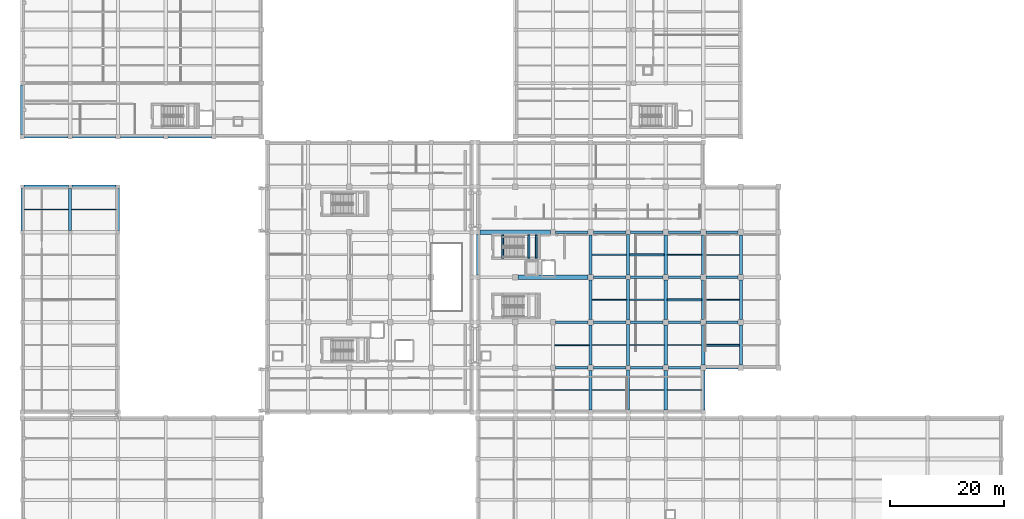
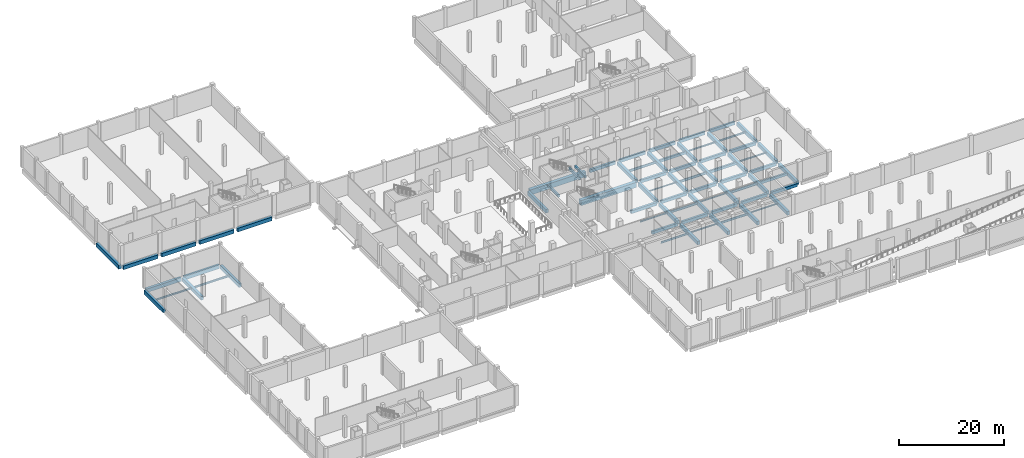
# One storey, part 6 of 31: 73 beams.
"""IFC4 building model written with IfcOpenShell, lengths in metres."""

from ifc_helpers import new_model, si_unit, direction, frame, origin, origin_2d, place, context, subcontext, project, spatial, rectangle, i_section, extrude, material, material_profile, profile_set, type_object, element, save


model = new_model("IFC4")

# Units and contexts
model_context = context("Model", 3, precision=1e-05, world=origin(), true_north=direction((0.0, 1.0)))
body_context = subcontext(model_context, "Body", "Model", "MODEL_VIEW")
ifc_project = project(units=[si_unit("LENGTHUNIT", "METRE"), si_unit("AREAUNIT", "SQUARE_METRE"), si_unit("VOLUMEUNIT", "CUBIC_METRE"), si_unit("PLANEANGLEUNIT", "RADIAN"), si_unit("MASSUNIT", "GRAM", prefix="KILO")], contexts=[model_context])

# Site, building, storey
site_placement = place(None, origin())
site = spatial("IfcSite", under=ifc_project, at=site_placement, CompositionType="ELEMENT")
building_placement = place(site_placement, origin())
building = spatial("IfcBuilding", under=site, at=building_placement, Name="Kelarvand Opera House", CompositionType="ELEMENT")
storey_placement = place(building_placement, frame((0.0, 0.0, -4.800048828125)))
storey = spatial("IfcBuildingStorey", under=building, at=storey_placement, Name="B1", CompositionType="ELEMENT", Elevation=-4.800048828125)

# Beams
ifc_material_1 = material(Name="Concrete C35/45", Category="concrete")
ifc_material_profile_1 = material_profile(ifc_material_1, rectangle(XDim=0.35009765625, YDim=0.60009765625, at=origin_2d()), Name="RC 350x600", Category="concrete")
ifc_profile_set_1 = profile_set([ifc_material_profile_1], Name="Concrete C35/45")
beam_type_1 = type_object("IfcBeamType", Name="Structural Beam RC 350x600 BM-RC350x600", PredefinedType="BEAM", material=ifc_profile_set_1)
for number, where, z_axis, x_axis, name in (
    (1, (115.675048828125, 66.449951171875, -0.599853515625), (1.0, 0.0, 0.0), (0.0, 1.0, 0.0), "V1 B1 Beam BM-RC350x600"),
    (2, (122.27490234375, 58.550048828125, -0.599853515625), (1.0, 0.0, 0.0), (0.0, 1.0, 0.0), "V1 B1 Beam BM-RC350x600"),
    (3, (128.875, 50.60009765625, -0.599853515625), (1.0, 0.0, 0.0), (0.0, 1.0, 0.0), "V1 B1 Beam BM-RC350x600"),
):
    element("IfcBeam", number, at=place(storey_placement, frame(where, z_axis=z_axis, x_axis=x_axis)), inside=storey, type_object=beam_type_1, Name=name, PredefinedType="BEAM", context=body_context, shape_type="SweptSolid", body=[
        extrude(rectangle(XDim=0.35009765625, YDim=0.60009765625, at=origin_2d()), origin(), (0.0, 0.0, 1.0), 6.050048828125),
    ])
for number, where, z_axis, x_axis, name in (
    (4, (93.340087890625, 65.85009765625, -0.52001953125), (0.0, 1.0, 0.0), (-1.0, 0.0, 0.0), "C1 Stair Landing Support Beam B1"),
    (5, (97.949951171875, 65.85009765625, 1.900146484375), (0.0, 1.0, 0.0), (-1.0, 0.0, 0.0), "C1 Stair Half-Landing Beam 1 B1"),
    (6, (99.25, 65.85009765625, 1.900146484375), (0.0, 1.0, 0.0), (-1.0, 0.0, 0.0), "C1 Stair Half-Landing Beam 2 B1"),
):
    element("IfcBeam", number, at=place(storey_placement, frame(where, z_axis=z_axis, x_axis=x_axis)), inside=storey, type_object=beam_type_1, Name=name, PredefinedType="BEAM", context=body_context, shape_type="SweptSolid", body=[
        extrude(rectangle(XDim=0.35009765625, YDim=0.60009765625, at=origin_2d()), origin(), (0.0, 0.0, 1.0), 4.099853515625),
    ])
ifc_material_2 = material(Name="Concrete C40/50", Category="concrete")
ifc_material_profile_2 = material_profile(ifc_material_2, rectangle(XDim=0.449951171875, YDim=0.699951171875, at=origin_2d()), Name="RC 450x700", Category="concrete")
ifc_profile_set_2 = profile_set([ifc_material_profile_2], Name="Concrete C40/50")
beam_type_2 = type_object("IfcBeamType", Name="Structural Beam RC 450x700 BM-RC450x700", PredefinedType="BEAM", material=ifc_profile_set_2)
beam_1_placement = place(storey_placement, frame((102.675048828125, 46.60009765625, -0.64990234375), z_axis=(1.0, 0.0, 0.0), x_axis=(0.0, 1.0, 0.0)))
element("IfcBeam", 7, at=beam_1_placement, inside=storey, type_object=beam_type_2, Name="V1 B1 Beam BM-RC450x700", PredefinedType="BEAM", context=body_context, shape_type="SweptSolid", body=[
    extrude(rectangle(XDim=0.449951171875, YDim=0.699951171875, at=origin_2d()), origin(), (0.0, 0.0, 1.0), 5.64990234375),
])
beam_2_placement = place(storey_placement, frame((109.27490234375, 46.60009765625, -0.64990234375), z_axis=(1.0, 0.0, 0.0), x_axis=(0.0, 1.0, 0.0)))
element("IfcBeam", 8, at=beam_2_placement, inside=storey, type_object=beam_type_2, Name="V1 B1 Beam BM-RC450x700", PredefinedType="BEAM", context=body_context, shape_type="SweptSolid", body=[
    extrude(rectangle(XDim=0.449951171875, YDim=0.699951171875, at=origin_2d()), origin(), (0.0, 0.0, 1.0), 5.715087890625),
])
beam_3_placement = place(storey_placement, frame((115.81005859375, 46.60009765625, -0.64990234375), z_axis=(1.0, 0.0, 0.0), x_axis=(0.0, 1.0, 0.0)))
element("IfcBeam", 9, at=beam_3_placement, inside=storey, type_object=beam_type_2, Name="V1 B1 Beam BM-RC450x700", PredefinedType="BEAM", context=body_context, shape_type="SweptSolid", body=[
    extrude(rectangle(XDim=0.449951171875, YDim=0.699951171875, at=origin_2d()), origin(), (0.0, 0.0, 1.0), 5.71484375),
])
beam_4_placement = place(storey_placement, frame((122.47509765625, 46.60009765625, -0.64990234375), z_axis=(1.0, 0.0, 0.0), x_axis=(0.0, 1.0, 0.0)))
element("IfcBeam", 10, at=beam_4_placement, inside=storey, type_object=beam_type_2, Name="V1 B1 Beam BM-RC450x700", PredefinedType="BEAM", context=body_context, shape_type="SweptSolid", body=[
    extrude(rectangle(XDim=0.449951171875, YDim=0.699951171875, at=origin_2d()), origin(), (0.0, 0.0, 1.0), 5.64990234375),
])
beam_5_placement = place(storey_placement, frame((129.074951171875, 46.60009765625, -0.64990234375), z_axis=(1.0, 0.0, 0.0), x_axis=(0.0, 1.0, 0.0)))
element("IfcBeam", 11, at=beam_5_placement, inside=storey, type_object=beam_type_2, Name="V1 B1 Beam BM-RC450x700", PredefinedType="BEAM", context=body_context, shape_type="SweptSolid", body=[
    extrude(rectangle(XDim=0.449951171875, YDim=0.699951171875, at=origin_2d()), origin(), (0.0, 0.0, 1.0), 5.650146484375),
])
beam_6_placement = place(storey_placement, frame((102.675048828125, 54.60009765625, -0.64990234375), z_axis=(1.0, 0.0, 0.0), x_axis=(0.0, 1.0, 0.0)))
element("IfcBeam", 12, at=beam_6_placement, inside=storey, type_object=beam_type_2, Name="V1 B1 Beam BM-RC450x700", PredefinedType="BEAM", context=body_context, shape_type="SweptSolid", body=[
    extrude(rectangle(XDim=0.449951171875, YDim=0.699951171875, at=origin_2d()), origin(), (0.0, 0.0, 1.0), 5.64990234375),
])
beam_7_placement = place(storey_placement, frame((109.27490234375, 54.60009765625, -0.64990234375), z_axis=(1.0, 0.0, 0.0), x_axis=(0.0, 1.0, 0.0)))
element("IfcBeam", 13, at=beam_7_placement, inside=storey, type_object=beam_type_2, Name="V1 B1 Beam BM-RC450x700", PredefinedType="BEAM", context=body_context, shape_type="SweptSolid", body=[
    extrude(rectangle(XDim=0.449951171875, YDim=0.699951171875, at=origin_2d()), origin(), (0.0, 0.0, 1.0), 5.715087890625),
])
beam_8_placement = place(storey_placement, frame((115.81005859375, 54.60009765625, -0.64990234375), z_axis=(1.0, 0.0, 0.0), x_axis=(0.0, 1.0, 0.0)))
element("IfcBeam", 14, at=beam_8_placement, inside=storey, type_object=beam_type_2, Name="V1 B1 Beam BM-RC450x700", PredefinedType="BEAM", context=body_context, shape_type="SweptSolid", body=[
    extrude(rectangle(XDim=0.449951171875, YDim=0.699951171875, at=origin_2d()), origin(), (0.0, 0.0, 1.0), 5.71484375),
])
beam_9_placement = place(storey_placement, frame((122.47509765625, 54.60009765625, -0.64990234375), z_axis=(1.0, 0.0, 0.0), x_axis=(0.0, 1.0, 0.0)))
element("IfcBeam", 15, at=beam_9_placement, inside=storey, type_object=beam_type_2, Name="V1 B1 Beam BM-RC450x700", PredefinedType="BEAM", context=body_context, shape_type="SweptSolid", body=[
    extrude(rectangle(XDim=0.449951171875, YDim=0.699951171875, at=origin_2d()), origin(), (0.0, 0.0, 1.0), 5.64990234375),
])
beam_10_placement = place(storey_placement, frame((129.074951171875, 54.60009765625, -0.64990234375), z_axis=(1.0, 0.0, 0.0), x_axis=(0.0, 1.0, 0.0)))
element("IfcBeam", 16, at=beam_10_placement, inside=storey, type_object=beam_type_2, Name="V1 B1 Beam BM-RC450x700", PredefinedType="BEAM", context=body_context, shape_type="SweptSolid", body=[
    extrude(rectangle(XDim=0.449951171875, YDim=0.699951171875, at=origin_2d()), origin(), (0.0, 0.0, 1.0), 5.650146484375),
])
beam_11_placement = place(storey_placement, frame((109.27490234375, 62.5, -0.64990234375), z_axis=(1.0, 0.0, 0.0), x_axis=(0.0, 1.0, 0.0)))
element("IfcBeam", 17, at=beam_11_placement, inside=storey, type_object=beam_type_2, Name="V1 B1 Beam BM-RC450x700", PredefinedType="BEAM", context=body_context, shape_type="SweptSolid", body=[
    extrude(rectangle(XDim=0.449951171875, YDim=0.699951171875, at=origin_2d()), origin(), (0.0, 0.0, 1.0), 5.715087890625),
])
beam_12_placement = place(storey_placement, frame((115.81005859375, 62.5, -0.64990234375), z_axis=(1.0, 0.0, 0.0), x_axis=(0.0, 1.0, 0.0)))
element("IfcBeam", 18, at=beam_12_placement, inside=storey, type_object=beam_type_2, Name="V1 B1 Beam BM-RC450x700", PredefinedType="BEAM", context=body_context, shape_type="SweptSolid", body=[
    extrude(rectangle(XDim=0.449951171875, YDim=0.699951171875, at=origin_2d()), origin(), (0.0, 0.0, 1.0), 5.71484375),
])
beam_13_placement = place(storey_placement, frame((122.47509765625, 62.5, -0.64990234375), z_axis=(1.0, 0.0, 0.0), x_axis=(0.0, 1.0, 0.0)))
element("IfcBeam", 19, at=beam_13_placement, inside=storey, type_object=beam_type_2, Name="V1 B1 Beam BM-RC450x700", PredefinedType="BEAM", context=body_context, shape_type="SweptSolid", body=[
    extrude(rectangle(XDim=0.449951171875, YDim=0.699951171875, at=origin_2d()), origin(), (0.0, 0.0, 1.0), 5.64990234375),
])
beam_14_placement = place(storey_placement, frame((129.074951171875, 62.5, -0.64990234375), z_axis=(1.0, 0.0, 0.0), x_axis=(0.0, 1.0, 0.0)))
element("IfcBeam", 20, at=beam_14_placement, inside=storey, type_object=beam_type_2, Name="V1 B1 Beam BM-RC450x700", PredefinedType="BEAM", context=body_context, shape_type="SweptSolid", body=[
    extrude(rectangle(XDim=0.449951171875, YDim=0.699951171875, at=origin_2d()), origin(), (0.0, 0.0, 1.0), 5.650146484375),
])
beam_15_placement = place(storey_placement, frame((102.675048828125, 70.39990234375, -0.64990234375), z_axis=(1.0, 0.0, 0.0), x_axis=(0.0, 1.0, 0.0)))
element("IfcBeam", 21, at=beam_15_placement, inside=storey, type_object=beam_type_2, Name="V1 B1 Beam BM-RC450x700", PredefinedType="BEAM", context=body_context, shape_type="SweptSolid", body=[
    extrude(rectangle(XDim=0.449951171875, YDim=0.699951171875, at=origin_2d()), origin(), (0.0, 0.0, 1.0), 5.64990234375),
])
beam_16_placement = place(storey_placement, frame((109.27490234375, 70.39990234375, -0.64990234375), z_axis=(1.0, 0.0, 0.0), x_axis=(0.0, 1.0, 0.0)))
element("IfcBeam", 22, at=beam_16_placement, inside=storey, type_object=beam_type_2, Name="V1 B1 Beam BM-RC450x700", PredefinedType="BEAM", context=body_context, shape_type="SweptSolid", body=[
    extrude(rectangle(XDim=0.449951171875, YDim=0.699951171875, at=origin_2d()), origin(), (0.0, 0.0, 1.0), 5.715087890625),
])
beam_17_placement = place(storey_placement, frame((115.81005859375, 70.39990234375, -0.64990234375), z_axis=(1.0, 0.0, 0.0), x_axis=(0.0, 1.0, 0.0)))
element("IfcBeam", 23, at=beam_17_placement, inside=storey, type_object=beam_type_2, Name="V1 B1 Beam BM-RC450x700", PredefinedType="BEAM", context=body_context, shape_type="SweptSolid", body=[
    extrude(rectangle(XDim=0.449951171875, YDim=0.699951171875, at=origin_2d()), origin(), (0.0, 0.0, 1.0), 5.71484375),
])
beam_18_placement = place(storey_placement, frame((122.47509765625, 70.39990234375, -0.64990234375), z_axis=(1.0, 0.0, 0.0), x_axis=(0.0, 1.0, 0.0)))
element("IfcBeam", 24, at=beam_18_placement, inside=storey, type_object=beam_type_2, Name="V1 B1 Beam BM-RC450x700", PredefinedType="BEAM", context=body_context, shape_type="SweptSolid", body=[
    extrude(rectangle(XDim=0.449951171875, YDim=0.699951171875, at=origin_2d()), origin(), (0.0, 0.0, 1.0), 5.64990234375),
])
beam_19_placement = place(storey_placement, frame((129.074951171875, 70.39990234375, -0.64990234375), z_axis=(1.0, 0.0, 0.0), x_axis=(0.0, 1.0, 0.0)))
element("IfcBeam", 25, at=beam_19_placement, inside=storey, type_object=beam_type_2, Name="V1 B1 Beam BM-RC450x700", PredefinedType="BEAM", context=body_context, shape_type="SweptSolid", body=[
    extrude(rectangle(XDim=0.449951171875, YDim=0.699951171875, at=origin_2d()), origin(), (0.0, 0.0, 1.0), 5.650146484375),
])
ifc_material_profile_3 = material_profile(ifc_material_2, rectangle(XDim=0.550048828125, YDim=0.85009765625, at=origin_2d()), Name="RC 550x850", Category="concrete")
ifc_profile_set_3 = profile_set([ifc_material_profile_3], Name="Concrete C40/50")
beam_type_3 = type_object("IfcBeamType", Name="Structural Beam RC 550x850 BM-RC550x850", PredefinedType="BEAM", material=ifc_profile_set_3)
beam_20_placement = place(storey_placement, frame((89.0, 62.909912109375, -0.724853515625), z_axis=(0.0, 1.0, 0.0), x_axis=(-1.0, 0.0, 0.0)))
element("IfcBeam", 26, at=beam_20_placement, inside=storey, type_object=beam_type_3, Name="V1 B1 Beam BM-RC550x850", PredefinedType="BEAM", context=body_context, shape_type="SweptSolid", body=[
    extrude(rectangle(XDim=0.550048828125, YDim=0.85009765625, at=origin_2d()), origin(), (0.0, 0.0, 1.0), 7.080078125),
])
beam_21_placement = place(storey_placement, frame((108.800048828125, 39.2099609375, -0.724853515625), z_axis=(0.0, 1.0, 0.0), x_axis=(-1.0, 0.0, 0.0)))
element("IfcBeam", 27, at=beam_21_placement, inside=storey, type_object=beam_type_3, Name="V1 B1 Beam BM-RC550x850", PredefinedType="BEAM", context=body_context, shape_type="SweptSolid", body=[
    extrude(rectangle(XDim=0.550048828125, YDim=0.85009765625, at=origin_2d()), origin(), (0.0, 0.0, 1.0), 6.9150390625),
])
beam_22_placement = place(storey_placement, frame((108.800048828125, 47.074951171875, -0.724853515625), z_axis=(0.0, 1.0, 0.0), x_axis=(-1.0, 0.0, 0.0)))
element("IfcBeam", 28, at=beam_22_placement, inside=storey, type_object=beam_type_3, Name="V1 B1 Beam BM-RC550x850", PredefinedType="BEAM", context=body_context, shape_type="SweptSolid", body=[
    extrude(rectangle(XDim=0.550048828125, YDim=0.85009765625, at=origin_2d()), origin(), (0.0, 0.0, 1.0), 7.050048828125),
])
for number, where, z_axis, x_axis, name in (
    (29, (108.800048828125, 55.074951171875, -0.724853515625), (0.0, 1.0, 0.0), (-1.0, 0.0, 0.0), "V1 B1 Beam BM-RC550x850"),
    (30, (108.800048828125, 62.97509765625, -0.724853515625), (0.0, 1.0, 0.0), (-1.0, 0.0, 0.0), "V1 B1 Beam BM-RC550x850"),
):
    element("IfcBeam", number, at=place(storey_placement, frame(where, z_axis=z_axis, x_axis=x_axis)), inside=storey, type_object=beam_type_3, Name=name, PredefinedType="BEAM", context=body_context, shape_type="SweptSolid", body=[
        extrude(rectangle(XDim=0.550048828125, YDim=0.85009765625, at=origin_2d()), origin(), (0.0, 0.0, 1.0), 6.949951171875),
    ])
beam_23_placement = place(storey_placement, frame((115.39990234375, 39.2099609375, -0.724853515625), z_axis=(0.0, 1.0, 0.0), x_axis=(-1.0, 0.0, 0.0)))
element("IfcBeam", 31, at=beam_23_placement, inside=storey, type_object=beam_type_3, Name="V1 B1 Beam BM-RC550x850", PredefinedType="BEAM", context=body_context, shape_type="SweptSolid", body=[
    extrude(rectangle(XDim=0.550048828125, YDim=0.85009765625, at=origin_2d()), origin(), (0.0, 0.0, 1.0), 6.97998046875),
])
beam_24_placement = place(storey_placement, frame((115.39990234375, 47.010009765625, -0.724853515625), z_axis=(0.0, 1.0, 0.0), x_axis=(-1.0, 0.0, 0.0)))
element("IfcBeam", 32, at=beam_24_placement, inside=storey, type_object=beam_type_3, Name="V1 B1 Beam BM-RC550x850", PredefinedType="BEAM", context=body_context, shape_type="SweptSolid", body=[
    extrude(rectangle(XDim=0.550048828125, YDim=0.85009765625, at=origin_2d()), origin(), (0.0, 0.0, 1.0), 7.179931640625),
])
for number, where, z_axis, x_axis, name in (
    (33, (115.39990234375, 55.010009765625, -0.724853515625), (0.0, 1.0, 0.0), (-1.0, 0.0, 0.0), "V1 B1 Beam BM-RC550x850"),
    (34, (115.39990234375, 62.909912109375, -0.724853515625), (0.0, 1.0, 0.0), (-1.0, 0.0, 0.0), "V1 B1 Beam BM-RC550x850"),
):
    element("IfcBeam", number, at=place(storey_placement, frame(where, z_axis=z_axis, x_axis=x_axis)), inside=storey, type_object=beam_type_3, Name=name, PredefinedType="BEAM", context=body_context, shape_type="SweptSolid", body=[
        extrude(rectangle(XDim=0.550048828125, YDim=0.85009765625, at=origin_2d()), origin(), (0.0, 0.0, 1.0), 7.080078125),
    ])
beam_25_placement = place(storey_placement, frame((122.0, 39.2099609375, -0.724853515625), z_axis=(0.0, 1.0, 0.0), x_axis=(-1.0, 0.0, 0.0)))
element("IfcBeam", 35, at=beam_25_placement, inside=storey, type_object=beam_type_3, Name="V1 B1 Beam BM-RC550x850", PredefinedType="BEAM", context=body_context, shape_type="SweptSolid", body=[
    extrude(rectangle(XDim=0.550048828125, YDim=0.85009765625, at=origin_2d()), origin(), (0.0, 0.0, 1.0), 6.9150390625),
])
beam_26_placement = place(storey_placement, frame((122.0, 47.074951171875, -0.724853515625), z_axis=(0.0, 1.0, 0.0), x_axis=(-1.0, 0.0, 0.0)))
element("IfcBeam", 36, at=beam_26_placement, inside=storey, type_object=beam_type_3, Name="V1 B1 Beam BM-RC550x850", PredefinedType="BEAM", context=body_context, shape_type="SweptSolid", body=[
    extrude(rectangle(XDim=0.550048828125, YDim=0.85009765625, at=origin_2d()), origin(), (0.0, 0.0, 1.0), 7.050048828125),
])
for number, where, z_axis, x_axis, name in (
    (37, (122.0, 55.074951171875, -0.724853515625), (0.0, 1.0, 0.0), (-1.0, 0.0, 0.0), "V1 B1 Beam BM-RC550x850"),
    (38, (122.0, 62.97509765625, -0.724853515625), (0.0, 1.0, 0.0), (-1.0, 0.0, 0.0), "V1 B1 Beam BM-RC550x850"),
):
    element("IfcBeam", number, at=place(storey_placement, frame(where, z_axis=z_axis, x_axis=x_axis)), inside=storey, type_object=beam_type_3, Name=name, PredefinedType="BEAM", context=body_context, shape_type="SweptSolid", body=[
        extrude(rectangle(XDim=0.550048828125, YDim=0.85009765625, at=origin_2d()), origin(), (0.0, 0.0, 1.0), 6.949951171875),
    ])
beam_27_placement = place(storey_placement, frame((128.60009765625, 39.2099609375, -0.724853515625), z_axis=(0.0, 1.0, 0.0), x_axis=(-1.0, 0.0, 0.0)))
element("IfcBeam", 39, at=beam_27_placement, inside=storey, type_object=beam_type_3, Name="V1 B1 Beam BM-RC550x850", PredefinedType="BEAM", context=body_context, shape_type="SweptSolid", body=[
    extrude(rectangle(XDim=0.550048828125, YDim=0.85009765625, at=origin_2d()), origin(), (0.0, 0.0, 1.0), 6.9150390625),
])
beam_28_placement = place(storey_placement, frame((128.60009765625, 47.074951171875, -0.724853515625), z_axis=(0.0, 1.0, 0.0), x_axis=(-1.0, 0.0, 0.0)))
element("IfcBeam", 40, at=beam_28_placement, inside=storey, type_object=beam_type_3, Name="V1 B1 Beam BM-RC550x850", PredefinedType="BEAM", context=body_context, shape_type="SweptSolid", body=[
    extrude(rectangle(XDim=0.550048828125, YDim=0.85009765625, at=origin_2d()), origin(), (0.0, 0.0, 1.0), 7.050048828125),
])
for number, where, z_axis, x_axis, name in (
    (41, (128.60009765625, 55.074951171875, -0.724853515625), (0.0, 1.0, 0.0), (-1.0, 0.0, 0.0), "V1 B1 Beam BM-RC550x850"),
    (42, (128.60009765625, 62.97509765625, -0.724853515625), (0.0, 1.0, 0.0), (-1.0, 0.0, 0.0), "V1 B1 Beam BM-RC550x850"),
):
    element("IfcBeam", number, at=place(storey_placement, frame(where, z_axis=z_axis, x_axis=x_axis)), inside=storey, type_object=beam_type_3, Name=name, PredefinedType="BEAM", context=body_context, shape_type="SweptSolid", body=[
        extrude(rectangle(XDim=0.550048828125, YDim=0.85009765625, at=origin_2d()), origin(), (0.0, 0.0, 1.0), 6.949951171875),
    ])
beam_29_placement = place(storey_placement, frame((135.199951171875, 47.074951171875, -0.724853515625), z_axis=(0.0, 1.0, 0.0), x_axis=(-1.0, 0.0, 0.0)))
element("IfcBeam", 43, at=beam_29_placement, inside=storey, type_object=beam_type_3, Name="V1 B1 Beam BM-RC550x850", PredefinedType="BEAM", context=body_context, shape_type="SweptSolid", body=[
    extrude(rectangle(XDim=0.550048828125, YDim=0.85009765625, at=origin_2d()), origin(), (0.0, 0.0, 1.0), 7.050048828125),
])
for number, where, z_axis, x_axis, name in (
    (44, (135.199951171875, 55.074951171875, -0.724853515625), (0.0, 1.0, 0.0), (-1.0, 0.0, 0.0), "V1 B1 Beam BM-RC550x850"),
    (45, (135.199951171875, 62.97509765625, -0.724853515625), (0.0, 1.0, 0.0), (-1.0, 0.0, 0.0), "V1 B1 Beam BM-RC550x850"),
):
    element("IfcBeam", number, at=place(storey_placement, frame(where, z_axis=z_axis, x_axis=x_axis)), inside=storey, type_object=beam_type_3, Name=name, PredefinedType="BEAM", context=body_context, shape_type="SweptSolid", body=[
        extrude(rectangle(XDim=0.550048828125, YDim=0.85009765625, at=origin_2d()), origin(), (0.0, 0.0, 1.0), 6.949951171875),
    ])
beam_30_placement = place(storey_placement, frame((9.409912109375, 87.199951171875, -0.724853515625), z_axis=(1.0, 0.0, 0.0), x_axis=(0.0, 1.0, 0.0)))
element("IfcBeam", 46, at=beam_30_placement, inside=storey, type_object=beam_type_3, Name="V3 B1 Beam BM-RC550x850", PredefinedType="BEAM", context=body_context, shape_type="SweptSolid", body=[
    extrude(rectangle(XDim=0.550048828125, YDim=0.85009765625, at=origin_2d()), origin(), (0.0, 0.0, 1.0), 7.580078125),
])
beam_31_placement = place(storey_placement, frame((17.81005859375, 87.199951171875, -0.724853515625), z_axis=(1.0, 0.0, 0.0), x_axis=(0.0, 1.0, 0.0)))
element("IfcBeam", 47, at=beam_31_placement, inside=storey, type_object=beam_type_3, Name="V3 B1 Beam BM-RC550x850", PredefinedType="BEAM", context=body_context, shape_type="SweptSolid", body=[
    extrude(rectangle(XDim=0.550048828125, YDim=0.85009765625, at=origin_2d()), origin(), (0.0, 0.0, 1.0), 7.579833984375),
])
beam_32_placement = place(storey_placement, frame((26.2099609375, 87.199951171875, -0.724853515625), z_axis=(1.0, 0.0, 0.0), x_axis=(0.0, 1.0, 0.0)))
element("IfcBeam", 48, at=beam_32_placement, inside=storey, type_object=beam_type_3, Name="V3 B1 Beam BM-RC550x850", PredefinedType="BEAM", context=body_context, shape_type="SweptSolid", body=[
    extrude(rectangle(XDim=0.550048828125, YDim=0.85009765625, at=origin_2d()), origin(), (0.0, 0.0, 1.0), 7.580078125),
])
beam_33_placement = place(storey_placement, frame((34.610107421875, 87.199951171875, -0.724853515625), z_axis=(1.0, 0.0, 0.0), x_axis=(0.0, 1.0, 0.0)))
element("IfcBeam", 49, at=beam_33_placement, inside=storey, type_object=beam_type_3, Name="V3 B1 Beam BM-RC550x850", PredefinedType="BEAM", context=body_context, shape_type="SweptSolid", body=[
    extrude(rectangle(XDim=0.550048828125, YDim=0.85009765625, at=origin_2d()), origin(), (0.0, 0.0, 1.0), 7.579833984375),
])
for number, where, z_axis, x_axis, name in (
    (50, (9.324951171875, 78.39990234375, -0.724853515625), (1.0, 0.0, 0.0), (0.0, 1.0, 0.0), "V4 B1 Beam BM-RC550x850"),
    (51, (17.72509765625, 78.39990234375, -0.724853515625), (1.0, 0.0, 0.0), (0.0, 1.0, 0.0), "V4 B1 Beam BM-RC550x850"),
):
    element("IfcBeam", number, at=place(storey_placement, frame(where, z_axis=z_axis, x_axis=x_axis)), inside=storey, type_object=beam_type_3, Name=name, PredefinedType="BEAM", context=body_context, shape_type="SweptSolid", body=[
        extrude(rectangle(XDim=0.550048828125, YDim=0.85009765625, at=origin_2d()), origin(), (0.0, 0.0, 1.0), 7.75),
    ])
for number, where, z_axis, x_axis, name in (
    (52, (9.0, 70.72509765625, -0.724853515625), (0.0, 1.0, 0.0), (-1.0, 0.0, 0.0), "V4 B1 Beam BM-RC550x850"),
    (53, (17.39990234375, 70.72509765625, -0.724853515625), (0.0, 1.0, 0.0), (-1.0, 0.0, 0.0), "V4 B1 Beam BM-RC550x850"),
    (54, (25.800048828125, 70.72509765625, -0.724853515625), (0.0, 1.0, 0.0), (-1.0, 0.0, 0.0), "V4 B1 Beam BM-RC550x850"),
):
    element("IfcBeam", number, at=place(storey_placement, frame(where, z_axis=z_axis, x_axis=x_axis)), inside=storey, type_object=beam_type_3, Name=name, PredefinedType="BEAM", context=body_context, shape_type="SweptSolid", body=[
        extrude(rectangle(XDim=0.550048828125, YDim=0.85009765625, at=origin_2d()), origin(), (0.0, 0.0, 1.0), 7.349853515625),
    ])
ifc_material_profile_4 = material_profile(ifc_material_2, rectangle(XDim=0.60009765625, YDim=0.89990234375, at=origin_2d()), Name="RC 600x900", Category="concrete")
ifc_profile_set_4 = profile_set([ifc_material_profile_4], Name="Concrete C40/50")
beam_type_4 = type_object("IfcBeamType", Name="Structural Beam RC 600x900 BM-RC600x900", PredefinedType="BEAM", material=ifc_profile_set_4)
beam_34_placement = place(storey_placement, frame((9.0, 87.610107421875, -0.75), z_axis=(0.0, 1.0, 0.0), x_axis=(-1.0, 0.0, 0.0)))
element("IfcBeam", 55, at=beam_34_placement, inside=storey, type_object=beam_type_4, Name="V3 B1 Beam BM-RC600x900", PredefinedType="BEAM", context=body_context, shape_type="SweptSolid", body=[
    extrude(rectangle(XDim=0.60009765625, YDim=0.89990234375, at=origin_2d()), origin(), (0.0, 0.0, 1.0), 8.664794921875),
])
ifc_material_profile_5 = material_profile(ifc_material_2, rectangle(XDim=0.75, YDim=1.199951171875, at=origin_2d()), Name="RC 750x1200", Category="concrete")
ifc_profile_set_5 = profile_set([ifc_material_profile_5], Name="Concrete C40/50")
beam_type_5 = type_object("IfcBeamType", Name="Structural Beam RC 750x1200 BM-RC750x1200", PredefinedType="BEAM", material=ifc_profile_set_5)
beam_35_placement = place(storey_placement, frame((96.074951171875, 62.5, -0.89990234375), z_axis=(1.0, 0.0, 0.0), x_axis=(0.0, 1.0, 0.0)))
element("IfcBeam", 56, at=beam_35_placement, inside=storey, type_object=beam_type_5, Name="V1 B1 Beam BM-RC750x1200", PredefinedType="BEAM", context=body_context, shape_type="SweptSolid", body=[
    extrude(rectangle(XDim=0.75, YDim=1.199951171875, at=origin_2d()), origin(), (0.0, 0.0, 1.0), 12.25),
])
beam_36_placement = place(storey_placement, frame((89.409912109375, 70.39990234375, -0.89990234375), z_axis=(1.0, 0.0, 0.0), x_axis=(0.0, 1.0, 0.0)))
element("IfcBeam", 57, at=beam_36_placement, inside=storey, type_object=beam_type_5, Name="V1 B1 Beam BM-RC750x1200", PredefinedType="BEAM", context=body_context, shape_type="SweptSolid", body=[
    extrude(rectangle(XDim=0.75, YDim=1.199951171875, at=origin_2d()), origin(), (0.0, 0.0, 1.0), 12.315185546875),
])
ifc_material_3 = material(Name="Steel S355", Category="steel")
ifc_material_profile_6 = material_profile(ifc_material_3, i_section(OverallWidth=0.14990234375, OverallDepth=0.300048828125, WebThickness=0.007080078125, FlangeThickness=0.0107421875, at=origin_2d()), Name="IPE 300", Category="steel")
ifc_profile_set_6 = profile_set([ifc_material_profile_6], Name="Steel S355")
beam_type_6 = type_object("IfcBeamType", Name="Structural Joist IPE 300 JS-IPE300", PredefinedType="JOIST", material=ifc_profile_set_6)
for number, where, z_axis, x_axis, name in (
    (58, (109.074951171875, 58.550048828125, -0.449951171875), (1.0, 0.0, 0.0), (0.0, 1.0, 0.0), "V1 B1 Beam JS-IPE300"),
    (59, (115.675048828125, 50.60009765625, -0.449951171875), (1.0, 0.0, 0.0), (0.0, 1.0, 0.0), "V1 B1 Beam JS-IPE300"),
    (60, (122.27490234375, 42.699951171875, -0.449951171875), (1.0, 0.0, 0.0), (0.0, 1.0, 0.0), "V1 B1 Beam JS-IPE300"),
):
    element("IfcBeam", number, at=place(storey_placement, frame(where, z_axis=z_axis, x_axis=x_axis)), inside=storey, type_object=beam_type_6, Name=name, PredefinedType="JOIST", context=body_context, shape_type="SweptSolid", body=[
        extrude(i_section(OverallWidth=0.14990234375, OverallDepth=0.300048828125, WebThickness=0.007080078125, FlangeThickness=0.0107421875, at=origin_2d()), origin(), (0.0, 0.0, 1.0), 6.050048828125),
    ])
ifc_material_profile_7 = material_profile(ifc_material_3, i_section(OverallWidth=0.159912109375, OverallDepth=0.330078125, WebThickness=0.007568359375, FlangeThickness=0.011474609375, at=origin_2d()), Name="IPE 330", Category="steel")
ifc_profile_set_7 = profile_set([ifc_material_profile_7], Name="Steel S355")
beam_type_7 = type_object("IfcBeamType", Name="Structural Joist IPE 330 JS-IPE330", PredefinedType="JOIST", material=ifc_profile_set_7)
beam_37_placement = place(storey_placement, frame((102.47509765625, 50.60009765625, -0.46484375), z_axis=(1.0, 0.0, 0.0), x_axis=(0.0, 1.0, 0.0)))
element("IfcBeam", 61, at=beam_37_placement, inside=storey, type_object=beam_type_7, Name="V1 B1 Beam JS-IPE330", PredefinedType="JOIST", context=body_context, shape_type="SweptSolid", body=[
    extrude(i_section(OverallWidth=0.159912109375, OverallDepth=0.330078125, WebThickness=0.007568359375, FlangeThickness=0.011474609375, at=origin_2d()), origin(), (0.0, 0.0, 1.0), 6.0498046875),
])
beam_38_placement = place(storey_placement, frame((109.074951171875, 42.699951171875, -0.46484375), z_axis=(1.0, 0.0, 0.0), x_axis=(0.0, 1.0, 0.0)))
element("IfcBeam", 62, at=beam_38_placement, inside=storey, type_object=beam_type_7, Name="V1 B1 Beam JS-IPE330", PredefinedType="JOIST", context=body_context, shape_type="SweptSolid", body=[
    extrude(i_section(OverallWidth=0.159912109375, OverallDepth=0.330078125, WebThickness=0.007568359375, FlangeThickness=0.011474609375, at=origin_2d()), origin(), (0.0, 0.0, 1.0), 6.050048828125),
])
ifc_material_profile_8 = material_profile(ifc_material_3, i_section(OverallWidth=0.169921875, OverallDepth=0.360107421875, WebThickness=0.008056640625, FlangeThickness=0.0126953125, at=origin_2d()), Name="IPE 360", Category="steel")
ifc_profile_set_8 = profile_set([ifc_material_profile_8], Name="Steel S355")
beam_type_8 = type_object("IfcBeamType", Name="Structural Joist IPE 360 JS-IPE360", PredefinedType="JOIST", material=ifc_profile_set_8)
for number, where, z_axis, x_axis, name in (
    (63, (122.27490234375, 66.449951171875, -0.47998046875), (1.0, 0.0, 0.0), (0.0, 1.0, 0.0), "V1 B1 Beam JS-IPE360"),
    (64, (128.875, 58.550048828125, -0.47998046875), (1.0, 0.0, 0.0), (0.0, 1.0, 0.0), "V1 B1 Beam JS-IPE360"),
):
    element("IfcBeam", number, at=place(storey_placement, frame(where, z_axis=z_axis, x_axis=x_axis)), inside=storey, type_object=beam_type_8, Name=name, PredefinedType="JOIST", context=body_context, shape_type="SweptSolid", body=[
        extrude(i_section(OverallWidth=0.169921875, OverallDepth=0.360107421875, WebThickness=0.008056640625, FlangeThickness=0.0126953125, at=origin_2d()), origin(), (0.0, 0.0, 1.0), 6.050048828125),
    ])
ifc_material_profile_9 = material_profile(ifc_material_3, i_section(OverallWidth=0.179931640625, OverallDepth=0.39990234375, WebThickness=0.008544921875, FlangeThickness=0.013427734375, at=origin_2d()), Name="IPE 400", Category="steel")
ifc_profile_set_9 = profile_set([ifc_material_profile_9], Name="Steel S355")
beam_type_9 = type_object("IfcBeamType", Name="Structural Joist IPE 400 JS-IPE400", PredefinedType="JOIST", material=ifc_profile_set_9)
beam_39_placement = place(storey_placement, frame((128.875, 66.449951171875, -0.5), z_axis=(1.0, 0.0, 0.0), x_axis=(0.0, 1.0, 0.0)))
element("IfcBeam", 65, at=beam_39_placement, inside=storey, type_object=beam_type_9, Name="V1 B1 Beam JS-IPE400", PredefinedType="JOIST", context=body_context, shape_type="SweptSolid", body=[
    extrude(i_section(OverallWidth=0.179931640625, OverallDepth=0.39990234375, WebThickness=0.008544921875, FlangeThickness=0.013427734375, at=origin_2d()), origin(), (0.0, 0.0, 1.0), 6.050048828125),
])
beam_40_placement = place(storey_placement, frame((9.27490234375, 74.39990234375, -0.5), z_axis=(1.0, 0.0, 0.0), x_axis=(0.0, 1.0, 0.0)))
element("IfcBeam", 66, at=beam_40_placement, inside=storey, type_object=beam_type_9, Name="V4 B1 Beam JS-IPE400", PredefinedType="JOIST", context=body_context, shape_type="SweptSolid", body=[
    extrude(i_section(OverallWidth=0.179931640625, OverallDepth=0.39990234375, WebThickness=0.008544921875, FlangeThickness=0.013427734375, at=origin_2d()), origin(), (0.0, 0.0, 1.0), 7.85009765625),
])
ifc_material_profile_10 = material_profile(ifc_material_3, i_section(OverallWidth=0.18994140625, OverallDepth=0.449951171875, WebThickness=0.009521484375, FlangeThickness=0.0146484375, at=origin_2d()), Name="IPE 450", Category="steel")
ifc_profile_set_10 = profile_set([ifc_material_profile_10], Name="Steel S355")
beam_type_10 = type_object("IfcBeamType", Name="Structural Joist IPE 450 JS-IPE450", PredefinedType="JOIST", material=ifc_profile_set_10)
beam_41_placement = place(storey_placement, frame((102.47509765625, 42.699951171875, -0.52490234375), z_axis=(1.0, 0.0, 0.0), x_axis=(0.0, 1.0, 0.0)))
element("IfcBeam", 67, at=beam_41_placement, inside=storey, type_object=beam_type_10, Name="V1 B1 Beam JS-IPE450", PredefinedType="JOIST", context=body_context, shape_type="SweptSolid", body=[
    extrude(i_section(OverallWidth=0.18994140625, OverallDepth=0.449951171875, WebThickness=0.009521484375, FlangeThickness=0.0146484375, at=origin_2d()), origin(), (0.0, 0.0, 1.0), 6.0498046875),
])
beam_42_placement = place(storey_placement, frame((17.675048828125, 74.39990234375, -0.52490234375), z_axis=(1.0, 0.0, 0.0), x_axis=(0.0, 1.0, 0.0)))
element("IfcBeam", 68, at=beam_42_placement, inside=storey, type_object=beam_type_10, Name="V4 B1 Beam JS-IPE450", PredefinedType="JOIST", context=body_context, shape_type="SweptSolid", body=[
    extrude(i_section(OverallWidth=0.18994140625, OverallDepth=0.449951171875, WebThickness=0.009521484375, FlangeThickness=0.0146484375, at=origin_2d()), origin(), (0.0, 0.0, 1.0), 7.849853515625),
])
ifc_material_profile_11 = material_profile(ifc_material_3, i_section(OverallWidth=0.199951171875, OverallDepth=0.5, WebThickness=0.01025390625, FlangeThickness=0.01611328125, at=origin_2d()), Name="IPE 500", Category="steel")
ifc_profile_set_11 = profile_set([ifc_material_profile_11], Name="Steel S355")
beam_type_11 = type_object("IfcBeamType", Name="Structural Joist IPE 500 JS-IPE500", PredefinedType="JOIST", material=ifc_profile_set_11)
for number, where, z_axis, x_axis, name in (
    (69, (109.074951171875, 50.60009765625, -0.550048828125), (1.0, 0.0, 0.0), (0.0, 1.0, 0.0), "V1 B1 Beam JS-IPE500"),
    (70, (115.675048828125, 42.699951171875, -0.550048828125), (1.0, 0.0, 0.0), (0.0, 1.0, 0.0), "V1 B1 Beam JS-IPE500"),
):
    element("IfcBeam", number, at=place(storey_placement, frame(where, z_axis=z_axis, x_axis=x_axis)), inside=storey, type_object=beam_type_11, Name=name, PredefinedType="JOIST", context=body_context, shape_type="SweptSolid", body=[
        extrude(i_section(OverallWidth=0.199951171875, OverallDepth=0.5, WebThickness=0.01025390625, FlangeThickness=0.01611328125, at=origin_2d()), origin(), (0.0, 0.0, 1.0), 6.050048828125),
    ])
ifc_material_profile_12 = material_profile(ifc_material_3, i_section(OverallWidth=0.2099609375, OverallDepth=0.550048828125, WebThickness=0.010986328125, FlangeThickness=0.01708984375, at=origin_2d()), Name="IPE 550", Category="steel")
ifc_profile_set_12 = profile_set([ifc_material_profile_12], Name="Steel S355")
beam_type_12 = type_object("IfcBeamType", Name="Structural Joist IPE 550 JS-IPE550", PredefinedType="JOIST", material=ifc_profile_set_12)
for number, where, z_axis, x_axis, name in (
    (71, (109.074951171875, 66.449951171875, -0.574951171875), (1.0, 0.0, 0.0), (0.0, 1.0, 0.0), "V1 B1 Beam JS-IPE550"),
    (72, (115.675048828125, 58.550048828125, -0.574951171875), (1.0, 0.0, 0.0), (0.0, 1.0, 0.0), "V1 B1 Beam JS-IPE550"),
    (73, (122.27490234375, 50.60009765625, -0.574951171875), (1.0, 0.0, 0.0), (0.0, 1.0, 0.0), "V1 B1 Beam JS-IPE550"),
):
    element("IfcBeam", number, at=place(storey_placement, frame(where, z_axis=z_axis, x_axis=x_axis)), inside=storey, type_object=beam_type_12, Name=name, PredefinedType="JOIST", context=body_context, shape_type="SweptSolid", body=[
        extrude(i_section(OverallWidth=0.2099609375, OverallDepth=0.550048828125, WebThickness=0.010986328125, FlangeThickness=0.01708984375, at=origin_2d()), origin(), (0.0, 0.0, 1.0), 6.050048828125),
    ])

save(model, "model.ifc")
